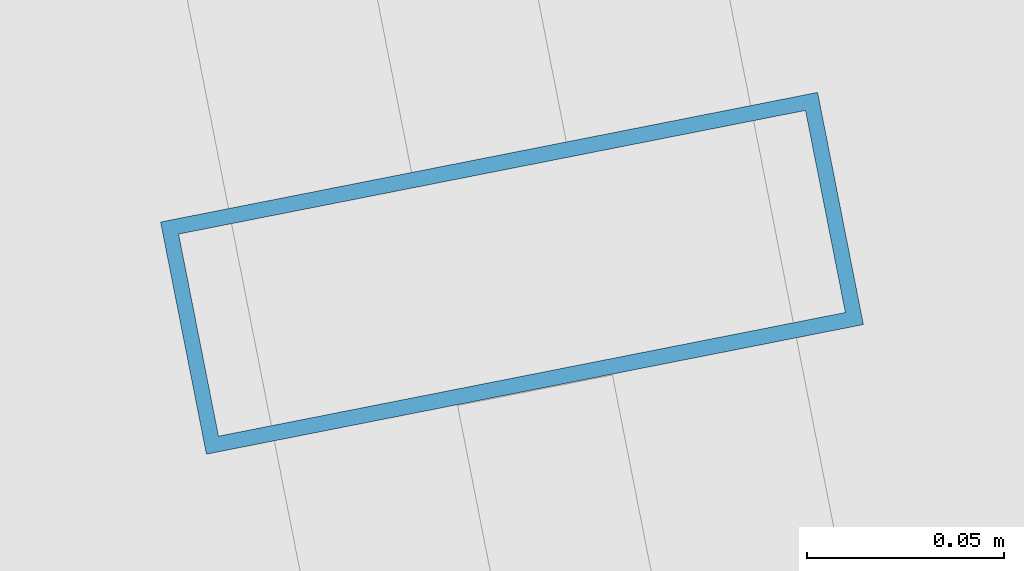
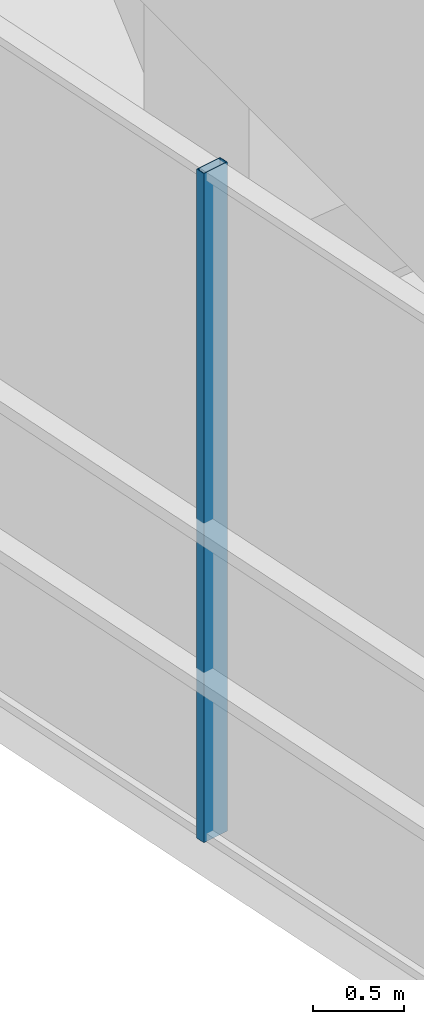
# One storey, part 10 of 36: 1 member, 1 element without a shape of its own.
"""IFC4 building model written with IfcOpenShell, lengths in metres."""

from ifc_helpers import new_model, si_unit, direction, frame, origin, origin_2d, place, context, subcontext, project, spatial, hollow_rectangle, extrude, source, transform, mapped, material, layer, layer_set, material_profile, profile_set, type_object, element, aggregate, save


model = new_model("IFC4")

# Units and contexts
model_context = context("Model", 3, precision=1e-05, world=origin(), true_north=direction((0.0, 1.0)))
body_context = subcontext(model_context, "Body", "Model", "MODEL_VIEW")
ifc_project = project(units=[si_unit("LENGTHUNIT", "METRE"), si_unit("AREAUNIT", "SQUARE_METRE"), si_unit("VOLUMEUNIT", "CUBIC_METRE"), si_unit("PLANEANGLEUNIT", "RADIAN"), si_unit("MASSUNIT", "GRAM", prefix="KILO")], contexts=[model_context])

# Site, building, storey
site_placement = place(None, origin())
site = spatial("IfcSite", under=ifc_project, at=site_placement, CompositionType="ELEMENT")
building_placement = place(site_placement, origin())
building = spatial("IfcBuilding", under=site, at=building_placement, Name="Veraguas Prism Commons", CompositionType="ELEMENT")
storey_placement = place(building_placement, frame((0.0, 0.0, 169.550048828125)))
storey = spatial("IfcBuildingStorey", under=building, at=storey_placement, Name="L48", CompositionType="ELEMENT", Elevation=169.550048828125)

# Curtain wall, member
ifc_material = material(Name="Anodised aluminium EN AW-6063 T6", Category="aluminium")
ifc_layer = layer(ifc_material, 0.169921875, Name="Unitised Flush Curtain Wall Zone 2", Category="aluminium")
ifc_layer_set = layer_set([ifc_layer], Name="Anodised aluminium EN AW-6063 T6")
curtain_wall_type = type_object("IfcCurtainWallType", Name="Unitised Flush Curtain Wall Zone 2", PredefinedType="NOTDEFINED", material=ifc_layer_set)
curtain_wall_placement = place(storey_placement, origin())
curtain_wall = element("IfcCurtainWall", 1, at=curtain_wall_placement, inside=storey, type_object=curtain_wall_type, Name="Tower Facade Curtain Wall L48-F3", PredefinedType="NOTDEFINED")
ifc_material_profile = material_profile(ifc_material, hollow_rectangle(XDim=0.06005859375, YDim=0.169921875, WallThickness=0.00390625, at=origin_2d()), Name="AL60X170X4")
ifc_profile_set = profile_set([ifc_material_profile], Name="Anodised aluminium EN AW-6063 T6")
member_type = type_object("IfcMemberType", Name="Curtain Wall Mullion Lower AL 60x170x4", PredefinedType="MULLION", material=ifc_profile_set)
shared_shape = source(origin(), body_context, "Body", "SweptSolid", [
    extrude(hollow_rectangle(XDim=0.06005859375, YDim=0.169921875, WallThickness=0.00390625, at=origin_2d()), origin(), (0.0, 0.0, 1.0), 4.47998046875),
])
member_placement = place(storey_placement, frame((5.18017578125, 20.287353515625, 0.0), z_axis=(0.0, 0.0, 1.0), x_axis=(0.193549468051, -0.981090517443, 0.0)))
member = element("IfcMember", 2, at=member_placement, type_object=member_type, Name="CW-Z2 Mullion 3", PredefinedType="MULLION", context=body_context, shape_type="MappedRepresentation", body=[
    mapped(shared_shape, transform((0.0, 0.0, 0.0), scale=1.0)),
])
aggregate(curtain_wall, [member])

save(model, "model.ifc")
